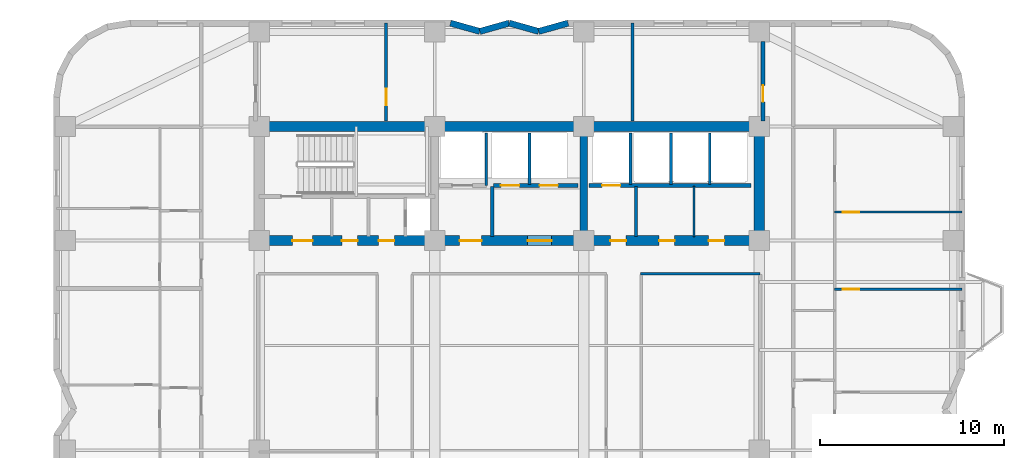
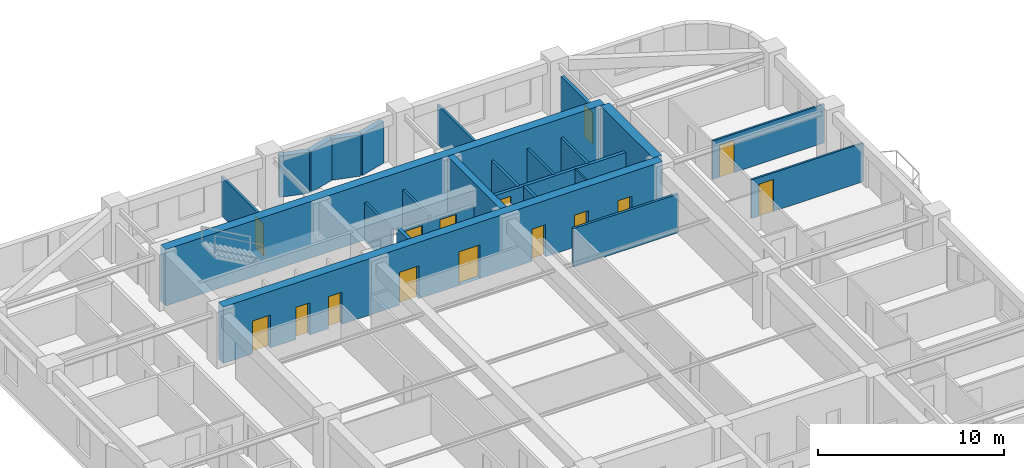
# One storey, part 7 of 10: 24 walls, 15 doors, 15 openings.
"""IFC4 building model written with IfcOpenShell, lengths in metres."""

from ifc_helpers import new_model, si_unit, direction, frame, frame_2d, origin, place, context, subcontext, project, spatial, rectangle, extrude, material, layer, layer_set, type_object, element, fill, save


model = new_model("IFC4")

# Units and contexts
model_context = context("Model", 3, precision=1e-05, world=origin(), true_north=direction((0.0, 1.0)))
body_context = subcontext(model_context, "Body", "Model", "MODEL_VIEW")
ifc_project = project(units=[si_unit("LENGTHUNIT", "METRE"), si_unit("AREAUNIT", "SQUARE_METRE"), si_unit("VOLUMEUNIT", "CUBIC_METRE"), si_unit("PLANEANGLEUNIT", "RADIAN"), si_unit("MASSUNIT", "GRAM", prefix="KILO")], contexts=[model_context])

# Site, building, storey
site_placement = place(None, origin())
site = spatial("IfcSite", under=ifc_project, at=site_placement, CompositionType="ELEMENT")
building_placement = place(site_placement, origin())
building = spatial("IfcBuilding", under=site, at=building_placement, Name="Svetorya Sky Lyceum", CompositionType="ELEMENT")
storey_placement = place(building_placement, frame((0.0, 0.0, 95.699951171875)))
storey = spatial("IfcBuildingStorey", under=building, at=storey_placement, Name="L23", CompositionType="ELEMENT", Elevation=95.699951171875)

# Walls
ifc_material_1 = material(Name="Concrete C40/50", Category="concrete")
ifc_layer_1 = layer(ifc_material_1, 0.39990234375)
ifc_layer_set_1 = layer_set([ifc_layer_1], Name="Concrete C40/50")
wall_type_1 = type_object("IfcWallType", Name="WL-CORE-400", PredefinedType="SHEAR", material=ifc_layer_set_1)
wall_1_placement = place(storey_placement, frame((43.25, 39.875, 0.0), z_axis=(0.0, 0.0, 1.0), x_axis=(0.0, 1.0, 0.0)))
element("IfcWall", 1, at=wall_1_placement, inside=storey, type_object=wall_type_1, Name="L23 NC Internal Shear Web WEB2", PredefinedType="SHEAR", context=body_context, shape_type="SweptSolid", body=[
    extrude(rectangle(XDim=5.64990234375, YDim=0.39990234375, at=frame_2d((2.824951171875, 0.0))), origin(), (0.0, 0.0, 1.0), 3.699951171875),
])
ifc_material_2 = material(Name="Concrete C60/75", Category="concrete")
ifc_layer_2 = layer(ifc_material_2, 0.550048828125)
ifc_layer_set_2 = layer_set([ifc_layer_2], Name="Concrete C60/75")
wall_type_2 = type_object("IfcWallType", Name="WL-CORE-550", PredefinedType="SHEAR", material=ifc_layer_set_2)
wall_2_placement = place(storey_placement, frame((25.60009765625, 45.800048828125, 0.0), z_axis=(0.0, 0.0, 1.0), x_axis=(1.0, 0.0, 0.0)))
element("IfcWall", 2, at=wall_2_placement, inside=storey, type_object=wall_type_2, Name="L23 NC Outer Core Shear Wall", PredefinedType="SHEAR", context=body_context, shape_type="SweptSolid", body=[
    extrude(rectangle(XDim=27.199951171875, YDim=0.550048828125, at=frame_2d((13.60009765625, 0.0))), origin(), (0.0, 0.0, 1.0), 3.699951171875),
])
wall_3_placement = place(storey_placement, frame((52.800048828125, 39.875, 0.0), z_axis=(0.0, 0.0, 1.0), x_axis=(0.0, 1.0, 0.0)))
element("IfcWall", 3, at=wall_3_placement, inside=storey, type_object=wall_type_2, Name="L23 NC East Core Shear Wall", PredefinedType="SHEAR", context=body_context, shape_type="SweptSolid", body=[
    extrude(rectangle(XDim=5.64990234375, YDim=0.550048828125, at=frame_2d((2.824951171875, 0.0))), origin(), (0.0, 0.0, 1.0), 3.699951171875),
])

# Wall, openings, doors
wall_4_placement = place(storey_placement, frame((52.800048828125, 39.60009765625, 0.0), z_axis=(0.0, 0.0, 1.0), x_axis=(-1.0, 0.0, 0.0)))
wall_4 = element("IfcWall", 4, at=wall_4_placement, inside=storey, type_object=wall_type_2, Name="L23 NC Inner Core Shear Wall", PredefinedType="SHEAR", context=body_context, shape_type="SweptSolid", body=[
    extrude(rectangle(XDim=27.199951171875, YDim=0.550048828125, at=frame_2d((13.60009765625, 0.0))), origin(), (0.0, 0.0, 1.0), 3.699951171875),
])
opening_1_placement = place(wall_4_placement, frame((24.300048828125, 0.0, 0.0)))
opening_1 = element("IfcOpeningElement", 5, at=opening_1_placement, cuts=wall_4, Name="Opening D-ST1", PredefinedType="OPENING", context=body_context, shape_type="SweptSolid", body=[
    extrude(rectangle(XDim=1.10009765625, YDim=2.14990234375, at=frame_2d((0.550048828125, 1.074951171875))), frame((0.0, 0.284912109375, 0.0), z_axis=(0.0, -1.0, 0.0), x_axis=(1.0, 0.0, 0.0)), (0.0, 0.0, 1.0), 0.570068359375),
])
opening_2_placement = place(wall_4_placement, frame((21.85009765625, 0.0, 0.0)))
opening_2 = element("IfcOpeningElement", 6, at=opening_2_placement, cuts=wall_4, Name="Opening D-CWC1", PredefinedType="OPENING", context=body_context, shape_type="SweptSolid", body=[
    extrude(rectangle(XDim=0.85009765625, YDim=2.10009765625, at=frame_2d((0.425048828125, 1.050048828125))), frame((0.0, 0.284912109375, 0.0), z_axis=(0.0, -1.0, 0.0), x_axis=(1.0, 0.0, 0.0)), (0.0, 0.0, 1.0), 0.570068359375),
])
opening_3_placement = place(wall_4_placement, frame((19.85009765625, 0.0, 0.0)))
opening_3 = element("IfcOpeningElement", 7, at=opening_3_placement, cuts=wall_4, Name="Opening D-CWC1", PredefinedType="OPENING", context=body_context, shape_type="SweptSolid", body=[
    extrude(rectangle(XDim=0.85009765625, YDim=2.10009765625, at=frame_2d((0.425048828125, 1.050048828125))), frame((0.0, 0.284912109375, 0.0), z_axis=(0.0, -1.0, 0.0), x_axis=(1.0, 0.0, 0.0)), (0.0, 0.0, 1.0), 0.570068359375),
])
opening_4_placement = place(wall_4_placement, frame((15.10009765625, 0.0, 0.0)))
opening_4 = element("IfcOpeningElement", 8, at=opening_4_placement, cuts=wall_4, Name="Opening D-FL1", PredefinedType="OPENING", context=body_context, shape_type="SweptSolid", body=[
    extrude(rectangle(XDim=1.199951171875, YDim=2.14990234375, at=frame_2d((0.60009765625, 1.074951171875))), frame((0.0, 0.284912109375, 0.0), z_axis=(0.0, -1.0, 0.0), x_axis=(1.0, 0.0, 0.0)), (0.0, 0.0, 1.0), 0.570068359375),
])
opening_5_placement = place(wall_4_placement, frame((11.300048828125, 0.0, 0.0)))
opening_5 = element("IfcOpeningElement", 9, at=opening_5_placement, cuts=wall_4, Name="Opening D-LB1", PredefinedType="OPENING", context=body_context, shape_type="SweptSolid", body=[
    extrude(rectangle(XDim=1.300048828125, YDim=2.199951171875, at=frame_2d((0.64990234375, 1.10009765625))), frame((0.0, 0.284912109375, 0.0), z_axis=(0.0, -1.0, 0.0), x_axis=(1.0, 0.0, 0.0)), (0.0, 0.0, 1.0), 0.570068359375),
])
opening_6_placement = place(wall_4_placement, frame((7.25, 0.0, 0.0)))
opening_6 = element("IfcOpeningElement", 10, at=opening_6_placement, cuts=wall_4, Name="Opening D-CWC1", PredefinedType="OPENING", context=body_context, shape_type="SweptSolid", body=[
    extrude(rectangle(XDim=0.85009765625, YDim=2.10009765625, at=frame_2d((0.425048828125, 1.050048828125))), frame((0.0, 0.284912109375, 0.0), z_axis=(0.0, -1.0, 0.0), x_axis=(1.0, 0.0, 0.0)), (0.0, 0.0, 1.0), 0.570068359375),
])
opening_7_placement = place(wall_4_placement, frame((4.60009765625, 0.0, 0.0)))
opening_7 = element("IfcOpeningElement", 11, at=opening_7_placement, cuts=wall_4, Name="Opening D-CWC1", PredefinedType="OPENING", context=body_context, shape_type="SweptSolid", body=[
    extrude(rectangle(XDim=0.85009765625, YDim=2.10009765625, at=frame_2d((0.425048828125, 1.050048828125))), frame((0.0, 0.284912109375, 0.0), z_axis=(0.0, -1.0, 0.0), x_axis=(1.0, 0.0, 0.0)), (0.0, 0.0, 1.0), 0.570068359375),
])
opening_8_placement = place(wall_4_placement, frame((1.89990234375, 0.0, 0.0)))
opening_8 = element("IfcOpeningElement", 12, at=opening_8_placement, cuts=wall_4, Name="Opening D-CWC1", PredefinedType="OPENING", context=body_context, shape_type="SweptSolid", body=[
    extrude(rectangle(XDim=0.85009765625, YDim=2.10009765625, at=frame_2d((0.425048828125, 1.050048828125))), frame((0.0, 0.284912109375, 0.0), z_axis=(0.0, -1.0, 0.0), x_axis=(1.0, 0.0, 0.0)), (0.0, 0.0, 1.0), 0.570068359375),
])
ifc_material_3 = material(Name="Fire-rated galvanized steel core service closet door", Category="steel")
door_type_1 = type_object("IfcDoorType", Name="DR-CWET-850", OperationType="SINGLE_SWING_LEFT", PredefinedType="DOOR", material=ifc_material_3)
door_1_placement = place(opening_2_placement, origin())
door_1 = element("IfcDoor", 13, at=door_1_placement, inside=storey, type_object=door_type_1, Name="L23 North Cleaner Door", OperationType="SINGLE_SWING_RIGHT", OverallHeight=2.10009765625, OverallWidth=0.85009765625, PredefinedType="DOOR", context=body_context, shape_type="SweptSolid", body=[
    extrude(rectangle(XDim=0.85009765625, YDim=2.10009765625, at=frame_2d((0.425048828125, 1.050048828125))), frame((0.0, 0.02490234375, 0.0), z_axis=(0.0, -1.0, 0.0), x_axis=(1.0, 0.0, 0.0)), (0.0, 0.0, 1.0), 0.050048828125),
])
fill(opening_2, door_1)
door_2_placement = place(opening_3_placement, origin())
door_2 = element("IfcDoor", 14, at=door_2_placement, inside=storey, type_object=door_type_1, Name="L23 North Meter Door", OperationType="SINGLE_SWING_LEFT", OverallHeight=2.10009765625, OverallWidth=0.85009765625, PredefinedType="DOOR", context=body_context, shape_type="SweptSolid", body=[
    extrude(rectangle(XDim=0.85009765625, YDim=2.10009765625, at=frame_2d((0.425048828125, 1.050048828125))), frame((0.0, 0.02490234375, 0.0), z_axis=(0.0, -1.0, 0.0), x_axis=(1.0, 0.0, 0.0)), (0.0, 0.0, 1.0), 0.050048828125),
])
fill(opening_3, door_2)
door_3_placement = place(opening_6_placement, origin())
door_3 = element("IfcDoor", 15, at=door_3_placement, inside=storey, type_object=door_type_1, Name="L23 Mid-Rise Lift PM3 Lobby Door", OperationType="SINGLE_SWING_LEFT", OverallHeight=2.10009765625, OverallWidth=0.85009765625, PredefinedType="DOOR", context=body_context, shape_type="SweptSolid", body=[
    extrude(rectangle(XDim=0.85009765625, YDim=2.10009765625, at=frame_2d((0.425048828125, 1.050048828125))), frame((0.0, 0.02490234375, 0.0), z_axis=(0.0, -1.0, 0.0), x_axis=(1.0, 0.0, 0.0)), (0.0, 0.0, 1.0), 0.050048828125),
])
fill(opening_6, door_3)
door_4_placement = place(opening_7_placement, origin())
door_4 = element("IfcDoor", 16, at=door_4_placement, inside=storey, type_object=door_type_1, Name="L23 Mid-Rise WC Door", OperationType="SINGLE_SWING_LEFT", OverallHeight=2.10009765625, OverallWidth=0.85009765625, PredefinedType="DOOR", context=body_context, shape_type="SweptSolid", body=[
    extrude(rectangle(XDim=0.85009765625, YDim=2.10009765625, at=frame_2d((0.425048828125, 1.050048828125))), frame((0.0, 0.02490234375, 0.0), z_axis=(0.0, -1.0, 0.0), x_axis=(1.0, 0.0, 0.0)), (0.0, 0.0, 1.0), 0.050048828125),
])
fill(opening_7, door_4)
door_5_placement = place(opening_8_placement, origin())
door_5 = element("IfcDoor", 17, at=door_5_placement, inside=storey, type_object=door_type_1, Name="L23 Mid-Rise Switch Closet Door", OperationType="SINGLE_SWING_RIGHT", OverallHeight=2.10009765625, OverallWidth=0.85009765625, PredefinedType="DOOR", context=body_context, shape_type="SweptSolid", body=[
    extrude(rectangle(XDim=0.85009765625, YDim=2.10009765625, at=frame_2d((0.425048828125, 1.050048828125))), frame((0.0, 0.02490234375, 0.0), z_axis=(0.0, -1.0, 0.0), x_axis=(1.0, 0.0, 0.0)), (0.0, 0.0, 1.0), 0.050048828125),
])
fill(opening_8, door_5)
ifc_material_4 = material(Name="Powder-coated insulated galvanized stair fire door")
door_type_2 = type_object("IfcDoorType", Name="DR-FIRE-1100", OperationType="SINGLE_SWING_LEFT", PredefinedType="DOOR", material=ifc_material_4)
door_6_placement = place(opening_1_placement, origin())
door_6 = element("IfcDoor", 18, at=door_6_placement, inside=storey, type_object=door_type_2, Name="L23 North Stair Airlock Door", OperationType="SINGLE_SWING_LEFT", OverallHeight=2.14990234375, OverallWidth=1.10009765625, PredefinedType="DOOR", context=body_context, shape_type="SweptSolid", body=[
    extrude(rectangle(XDim=1.10009765625, YDim=2.14990234375, at=frame_2d((0.550048828125, 1.074951171875))), frame((0.0, 0.02490234375, 0.0), z_axis=(0.0, -1.0, 0.0), x_axis=(1.0, 0.0, 0.0)), (0.0, 0.0, 1.0), 0.050048828125),
])
fill(opening_1, door_6)
ifc_material_5 = material(Name="Powder-coated insulated galvanized fire door")
door_type_3 = type_object("IfcDoorType", Name="DR-FIRE-1200", OperationType="SINGLE_SWING_LEFT", PredefinedType="DOOR", material=ifc_material_5)
door_7_placement = place(opening_4_placement, origin())
door_7 = element("IfcDoor", 19, at=door_7_placement, inside=storey, type_object=door_type_3, Name="L23 North Firefighting Lift Lobby Door", OperationType="SINGLE_SWING_RIGHT", OverallHeight=2.14990234375, OverallWidth=1.199951171875, PredefinedType="DOOR", context=body_context, shape_type="SweptSolid", body=[
    extrude(rectangle(XDim=1.199951171875, YDim=2.14990234375, at=frame_2d((0.60009765625, 1.074951171875))), frame((0.0, 0.02490234375, 0.0), z_axis=(0.0, -1.0, 0.0), x_axis=(1.0, 0.0, 0.0)), (0.0, 0.0, 1.0), 0.050048828125),
])
fill(opening_4, door_7)
ifc_material_6 = material(Name="Glazed fire-rated aluminium lobby door", Category="aluminium")
door_type_4 = type_object("IfcDoorType", Name="DR-LOB-1300", OperationType="SINGLE_SWING_LEFT", PredefinedType="DOOR", material=ifc_material_6)
door_8_placement = place(opening_5_placement, origin())
door_8 = element("IfcDoor", 20, at=door_8_placement, inside=storey, type_object=door_type_4, Name="L23 Mid-Rise Lift Lobby West Door", OperationType="SINGLE_SWING_LEFT", OverallHeight=2.199951171875, OverallWidth=1.300048828125, PredefinedType="DOOR", context=body_context, shape_type="SweptSolid", body=[
    extrude(rectangle(XDim=1.300048828125, YDim=2.199951171875, at=frame_2d((0.64990234375, 1.10009765625))), frame((0.0, 0.02490234375, 0.0), z_axis=(0.0, -1.0, 0.0), x_axis=(1.0, 0.0, 0.0)), (0.0, 0.0, 1.0), 0.050048828125),
])
fill(opening_5, door_8)

# Walls
ifc_material_7 = material(Name="Putilovo limestone rainscreen on autoclaved cellular masonry", Category="masonry")
ifc_layer_3 = layer(ifc_material_7, 0.340087890625)
ifc_layer_set_3 = layer_set([ifc_layer_3], Name="Putilovo limestone rainscreen on autoclaved cellular masonry")
wall_type_3 = type_object("IfcWallType", Name="WL-EXT-340", PredefinedType="SOLIDWALL", material=ifc_layer_set_3)
wall_5_placement = place(storey_placement, frame((42.39990234375, 51.429931640625, 0.0), z_axis=(0.0, 0.0, 1.0), x_axis=(-0.962652136636, -0.270741322725, 0.0)))
element("IfcWall", 21, at=wall_5_placement, inside=storey, type_object=wall_type_3, Name="L23 Limestone Exterior Wall 30M", PredefinedType="SOLIDWALL", context=body_context, shape_type="SweptSolid", body=[
    extrude(rectangle(XDim=1.661865234375, YDim=0.340087890625, at=frame_2d((0.8310546875, 0.0))), origin(), (0.0, 0.0, 1.0), 2.699951171875),
])
wall_6_placement = place(storey_placement, frame((40.800048828125, 50.97998046875, 0.0), z_axis=(0.0, 0.0, 1.0), x_axis=(-0.962662902433, 0.270703040766, 0.0)))
element("IfcWall", 22, at=wall_6_placement, inside=storey, type_object=wall_type_3, Name="L23 Limestone Exterior Wall 31M", PredefinedType="SOLIDWALL", context=body_context, shape_type="SweptSolid", body=[
    extrude(rectangle(XDim=1.662109375, YDim=0.340087890625, at=frame_2d((0.8310546875, 0.0))), origin(), (0.0, 0.0, 1.0), 2.699951171875),
])
wall_7_placement = place(storey_placement, frame((39.199951171875, 51.429931640625, 0.0), z_axis=(0.0, 0.0, 1.0), x_axis=(-0.962652136636, -0.270741322725, 0.0)))
element("IfcWall", 23, at=wall_7_placement, inside=storey, type_object=wall_type_3, Name="L23 Limestone Exterior Wall 32M", PredefinedType="SOLIDWALL", context=body_context, shape_type="SweptSolid", body=[
    extrude(rectangle(XDim=1.661865234375, YDim=0.340087890625, at=frame_2d((0.8310546875, 0.0))), origin(), (0.0, 0.0, 1.0), 2.699951171875),
])
wall_8_placement = place(storey_placement, frame((37.60009765625, 50.97998046875, 0.0), z_axis=(0.0, 0.0, 1.0), x_axis=(-0.962662902433, 0.270703040766, 0.0)))
element("IfcWall", 24, at=wall_8_placement, inside=storey, type_object=wall_type_3, Name="L23 Limestone Exterior Wall 33M", PredefinedType="SOLIDWALL", context=body_context, shape_type="SweptSolid", body=[
    extrude(rectangle(XDim=1.662109375, YDim=0.340087890625, at=frame_2d((0.8310546875, 0.0))), origin(), (0.0, 0.0, 1.0), 2.699951171875),
])
ifc_material_8 = material(Name="Galvanized stud partition with moisture-resistant board", Category="gypsum")
ifc_layer_4 = layer(ifc_material_8, 0.10009765625)
ifc_layer_set_4 = layer_set([ifc_layer_4], Name="Galvanized stud partition with moisture-resistant board")
wall_type_4 = type_object("IfcWallType", Name="WL-PART-100", PredefinedType="PARTITIONING", material=ifc_layer_set_4)
wall_9_placement = place(storey_placement, frame((49.25, 39.820068359375, 0.0), z_axis=(0.0, 0.0, 1.0), x_axis=(0.0, 1.0, 0.0)))
element("IfcWall", 25, at=wall_9_placement, inside=storey, type_object=wall_type_4, Name="L23 Interior Partition NC-Z2ED", PredefinedType="PARTITIONING", context=body_context, shape_type="SweptSolid", body=[
    extrude(rectangle(XDim=2.72998046875, YDim=0.10009765625, at=frame_2d((1.364990234375, 0.0))), origin(), (0.0, 0.0, 1.0), 2.530029296875),
])

# Wall, opening, door
ifc_material_9 = material(Name="Twin-stud galvanized framing with double fireboard", Category="gypsum")
ifc_layer_5 = layer(ifc_material_9, 0.1201171875)
ifc_layer_set_5 = layer_set([ifc_layer_5], Name="Twin-stud galvanized framing with double fireboard")
wall_type_5 = type_object("IfcWallType", Name="WL-PART-120", PredefinedType="PARTITIONING", material=ifc_layer_set_5)
wall_10_placement = place(storey_placement, frame((56.89990234375, 36.949951171875, 0.0), z_axis=(0.0, 0.0, 1.0), x_axis=(1.0, 0.0, 0.0)))
wall_10 = element("IfcWall", 26, at=wall_10_placement, inside=storey, type_object=wall_type_5, Name="L23 Interior Partition E2-WL2", PredefinedType="PARTITIONING", context=body_context, shape_type="SweptSolid", body=[
    extrude(rectangle(XDim=6.93017578125, YDim=0.1201171875, at=frame_2d((3.465087890625, 0.0))), origin(), (0.0, 0.0, 1.0), 2.530029296875),
])
opening_9_placement = place(wall_10_placement, frame((0.449951171875, 0.0, 0.0)))
opening_9 = element("IfcOpeningElement", 27, at=opening_9_placement, cuts=wall_10, Name="Opening D-RM1", PredefinedType="OPENING", context=body_context, shape_type="SweptSolid", body=[
    extrude(rectangle(XDim=0.89990234375, YDim=2.10009765625, at=frame_2d((0.449951171875, 1.050048828125))), frame((0.0, 0.070068359375, 0.0), z_axis=(0.0, -1.0, 0.0), x_axis=(1.0, 0.0, 0.0)), (0.0, 0.0, 1.0), 0.14013671875),
])
ifc_material_10 = material(Name="Lacquered birch veneer internal door")
door_type_5 = type_object("IfcDoorType", Name="DR-INT-900", OperationType="SINGLE_SWING_LEFT", PredefinedType="DOOR", material=ifc_material_10)
door_9_placement = place(opening_9_placement, origin())
door_9 = element("IfcDoor", 28, at=door_9_placement, inside=storey, type_object=door_type_5, Name="Apartment E2 Bedroom 2 Door", OperationType="SINGLE_SWING_RIGHT", OverallHeight=2.10009765625, OverallWidth=0.89990234375, PredefinedType="DOOR", context=body_context, shape_type="SweptSolid", body=[
    extrude(rectangle(XDim=0.89990234375, YDim=2.10009765625, at=frame_2d((0.449951171875, 1.050048828125))), frame((0.0, 0.02490234375, 0.0), z_axis=(0.0, -1.0, 0.0), x_axis=(1.0, 0.0, 0.0)), (0.0, 0.0, 1.0), 0.050048828125),
])
fill(opening_9, door_9)

wall_11_placement = place(storey_placement, frame((56.89990234375, 41.14990234375, 0.0), z_axis=(0.0, 0.0, 1.0), x_axis=(1.0, 0.0, 0.0)))
wall_11 = element("IfcWall", 29, at=wall_11_placement, inside=storey, type_object=wall_type_5, Name="L23 Interior Partition E2-WL3", PredefinedType="PARTITIONING", context=body_context, shape_type="SweptSolid", body=[
    extrude(rectangle(XDim=6.93017578125, YDim=0.1201171875, at=frame_2d((3.465087890625, 0.0))), origin(), (0.0, 0.0, 1.0), 2.530029296875),
])
opening_10_placement = place(wall_11_placement, frame((0.449951171875, 0.0, 0.0)))
opening_10 = element("IfcOpeningElement", 30, at=opening_10_placement, cuts=wall_11, Name="Opening D-RM1", PredefinedType="OPENING", context=body_context, shape_type="SweptSolid", body=[
    extrude(rectangle(XDim=0.89990234375, YDim=2.10009765625, at=frame_2d((0.449951171875, 1.050048828125))), frame((0.0, 0.070068359375, 0.0), z_axis=(0.0, -1.0, 0.0), x_axis=(1.0, 0.0, 0.0)), (0.0, 0.0, 1.0), 0.14013671875),
])
door_10_placement = place(opening_10_placement, origin())
door_10 = element("IfcDoor", 31, at=door_10_placement, inside=storey, type_object=door_type_5, Name="Apartment E2 Bedroom 3 Door", OperationType="SINGLE_SWING_LEFT", OverallHeight=2.10009765625, OverallWidth=0.89990234375, PredefinedType="DOOR", context=body_context, shape_type="SweptSolid", body=[
    extrude(rectangle(XDim=0.89990234375, YDim=2.10009765625, at=frame_2d((0.449951171875, 1.050048828125))), frame((0.0, 0.02490234375, 0.0), z_axis=(0.0, -1.0, 0.0), x_axis=(1.0, 0.0, 0.0)), (0.0, 0.0, 1.0), 0.050048828125),
])
fill(opening_10, door_10)

# Walls
ifc_material_11 = material(Name="Autoclaved cellular masonry blockwork with acoustic render", Category="masonry")
ifc_layer_6 = layer(ifc_material_11, 0.14990234375)
ifc_layer_set_6 = layer_set([ifc_layer_6], Name="Autoclaved cellular masonry blockwork with acoustic render")
wall_type_6 = type_object("IfcWallType", Name="WL-PART-150", PredefinedType="PARTITIONING", material=ifc_layer_set_6)
wall_12_placement = place(storey_placement, frame((37.949951171875, 42.60009765625, 0.0), z_axis=(0.0, 0.0, 1.0), x_axis=(0.0, 1.0, 0.0)))
element("IfcWall", 32, at=wall_12_placement, inside=storey, type_object=wall_type_6, Name="L23 Interior Partition NC-FL1SIDE", PredefinedType="PARTITIONING", context=body_context, shape_type="SweptSolid", body=[
    extrude(rectangle(XDim=2.849853515625, YDim=0.14990234375, at=frame_2d((1.4248046875, 0.0))), origin(), (0.0, 0.0, 1.0), 2.530029296875),
])
for number, where, z_axis, x_axis, name in (
    (33, (40.300048828125, 42.64990234375, 0.0), (0.0, 0.0, 1.0), (0.0, 1.0, 0.0), "L23 Interior Partition NC-PM-D1"),
    (34, (45.800048828125, 42.64990234375, 0.0), (0.0, 0.0, 1.0), (0.0, 1.0, 0.0), "L23 Interior Partition NC-PM3-D"),
    (35, (48.0, 42.64990234375, 0.0), (0.0, 0.0, 1.0), (0.0, 1.0, 0.0), "L23 Interior Partition NC-PH-D1"),
    (36, (50.10009765625, 42.64990234375, 0.0), (0.0, 0.0, 1.0), (0.0, 1.0, 0.0), "L23 Interior Partition NC-PH-D2"),
):
    element("IfcWall", number, at=place(storey_placement, frame(where, z_axis=z_axis, x_axis=x_axis)), inside=storey, type_object=wall_type_6, Name=name, PredefinedType="PARTITIONING", context=body_context, shape_type="SweptSolid", body=[
        extrude(rectangle(XDim=2.800048828125, YDim=0.14990234375, at=frame_2d((1.39990234375, 0.0))), origin(), (0.0, 0.0, 1.0), 2.530029296875),
    ])
wall_13_placement = place(storey_placement, frame((46.10009765625, 39.820068359375, 0.0), z_axis=(0.0, 0.0, 1.0), x_axis=(0.0, 1.0, 0.0)))
element("IfcWall", 37, at=wall_13_placement, inside=storey, type_object=wall_type_6, Name="L23 Interior Partition NC-PM3SEP", PredefinedType="PARTITIONING", context=body_context, shape_type="SweptSolid", body=[
    extrude(rectangle(XDim=2.72998046875, YDim=0.14990234375, at=frame_2d((1.364990234375, 0.0))), origin(), (0.0, 0.0, 1.0), 2.530029296875),
])
wall_14_placement = place(storey_placement, frame((46.35009765625, 37.800048828125, 0.0), z_axis=(0.0, 0.0, 1.0), x_axis=(1.0, 0.0, 0.0)))
element("IfcWall", 38, at=wall_14_placement, inside=storey, type_object=wall_type_6, Name="L23 Interior Partition RL-CN-E", PredefinedType="PARTITIONING", context=body_context, shape_type="SweptSolid", body=[
    extrude(rectangle(XDim=6.5, YDim=0.14990234375, at=frame_2d((3.25, 0.0))), origin(), (0.0, 0.0, 1.0), 2.530029296875),
])

# Wall, opening, door
wall_15_placement = place(storey_placement, frame((32.5, 46.10009765625, 0.0), z_axis=(0.0, 0.0, 1.0), x_axis=(0.0, 1.0, 0.0)))
wall_15 = element("IfcWall", 39, at=wall_15_placement, inside=storey, type_object=wall_type_6, Name="L23 Interior Partition N-D1", PredefinedType="PARTITIONING", context=body_context, shape_type="SweptSolid", body=[
    extrude(rectangle(XDim=5.329833984375, YDim=0.14990234375, at=frame_2d((2.6650390625, 0.0))), origin(), (0.0, 0.0, 1.0), 2.530029296875),
])
opening_11_placement = place(wall_15_placement, frame((0.85009765625, 0.0, 0.0)))
opening_11 = element("IfcOpeningElement", 40, at=opening_11_placement, cuts=wall_15, Name="Opening D-RM1", PredefinedType="OPENING", context=body_context, shape_type="SweptSolid", body=[
    extrude(rectangle(XDim=0.89990234375, YDim=2.10009765625, at=frame_2d((0.449951171875, 1.050048828125))), frame((0.0, 0.0849609375, 0.0), z_axis=(0.0, -1.0, 0.0), x_axis=(1.0, 0.0, 0.0)), (0.0, 0.0, 1.0), 0.169921875),
])
door_11_placement = place(opening_11_placement, origin())
door_11 = element("IfcDoor", 41, at=door_11_placement, inside=storey, type_object=door_type_5, Name="L23 North Store Door", OperationType="SINGLE_SWING_RIGHT", OverallHeight=2.10009765625, OverallWidth=0.89990234375, PredefinedType="DOOR", context=body_context, shape_type="SweptSolid", body=[
    extrude(rectangle(XDim=0.89990234375, YDim=2.10009765625, at=frame_2d((0.449951171875, 1.050048828125))), frame((0.0, 0.02490234375, 0.0), z_axis=(0.0, -1.0, 0.0), x_axis=(1.0, 0.0, 0.0)), (0.0, 0.0, 1.0), 0.050048828125),
])
fill(opening_11, door_11)

# Walls
wall_16_placement = place(storey_placement, frame((45.89990234375, 46.10009765625, 0.0), z_axis=(0.0, 0.0, 1.0), x_axis=(0.0, 1.0, 0.0)))
element("IfcWall", 42, at=wall_16_placement, inside=storey, type_object=wall_type_6, Name="L23 Interior Partition N-D2", PredefinedType="PARTITIONING", context=body_context, shape_type="SweptSolid", body=[
    extrude(rectangle(XDim=5.329833984375, YDim=0.14990234375, at=frame_2d((2.6650390625, 0.0))), origin(), (0.0, 0.0, 1.0), 2.530029296875),
])
ifc_material_12 = material(Name="Autoclaved cellular masonry blockwork with gypsum plaster", Category="masonry")
ifc_layer_7 = layer(ifc_material_12, 0.199951171875)
ifc_layer_set_7 = layer_set([ifc_layer_7], Name="Autoclaved cellular masonry blockwork with gypsum plaster")
wall_type_7 = type_object("IfcWallType", Name="WL-PART-200", PredefinedType="PARTITIONING", material=ifc_layer_set_7)
wall_17_placement = place(storey_placement, frame((38.280029296875, 39.820068359375, 0.0), z_axis=(0.0, 0.0, 1.0), x_axis=(0.0, 1.0, 0.0)))
element("IfcWall", 43, at=wall_17_placement, inside=storey, type_object=wall_type_7, Name="L23 Interior Partition NC-FFLDIV", PredefinedType="PARTITIONING", context=body_context, shape_type="SweptSolid", body=[
    extrude(rectangle(XDim=2.72998046875, YDim=0.199951171875, at=frame_2d((1.364990234375, 0.0))), origin(), (0.0, 0.0, 1.0), 2.530029296875),
])

# Wall, openings, doors
wall_18_placement = place(storey_placement, frame((42.949951171875, 42.60009765625, 0.0), z_axis=(0.0, 0.0, 1.0), x_axis=(-1.0, 0.0, 0.0)))
wall_18 = element("IfcWall", 44, at=wall_18_placement, inside=storey, type_object=wall_type_7, Name="L23 Interior Partition NC-PM12W", PredefinedType="PARTITIONING", context=body_context, shape_type="SweptSolid", body=[
    extrude(rectangle(XDim=4.599853515625, YDim=0.199951171875, at=frame_2d((2.2998046875, 0.0))), origin(), (0.0, 0.0, 1.0), 2.300048828125),
])
opening_12_placement = place(wall_18_placement, frame((3.199951171875, 0.0, 0.0)))
opening_12 = element("IfcOpeningElement", 45, at=opening_12_placement, cuts=wall_18, Name="Opening LD-P1", PredefinedType="OPENING", context=body_context, shape_type="SweptSolid", body=[
    extrude(rectangle(XDim=1.0, YDim=2.14990234375, at=frame_2d((0.5, 1.074951171875))), frame((0.0, 0.10986328125, 0.0), z_axis=(0.0, -1.0, 0.0), x_axis=(1.0, 0.0, 0.0)), (0.0, 0.0, 1.0), 0.219970703125),
])
opening_13_placement = place(wall_18_placement, frame((1.10009765625, 0.0, 0.0)))
opening_13 = element("IfcOpeningElement", 46, at=opening_13_placement, cuts=wall_18, Name="Opening LD-P1", PredefinedType="OPENING", context=body_context, shape_type="SweptSolid", body=[
    extrude(rectangle(XDim=1.0, YDim=2.14990234375, at=frame_2d((0.5, 1.074951171875))), frame((0.0, 0.10986328125, 0.0), z_axis=(0.0, -1.0, 0.0), x_axis=(1.0, 0.0, 0.0)), (0.0, 0.0, 1.0), 0.219970703125),
])
ifc_material_13 = material(Name="Champagne-anodized stainless passenger lift landing door")
door_type_6 = type_object("IfcDoorType", Name="DR-LIFT-1000", OperationType="SLIDING_TO_LEFT", PredefinedType="DOOR", material=ifc_material_13)
door_12_placement = place(opening_12_placement, origin())
door_12 = element("IfcDoor", 47, at=door_12_placement, inside=storey, type_object=door_type_6, Name="L23 Passenger Lift PM1 Landing Door", OperationType="SLIDING_TO_LEFT", OverallHeight=2.14990234375, OverallWidth=1.0, PredefinedType="DOOR", context=body_context, shape_type="SweptSolid", body=[
    extrude(rectangle(XDim=1.0, YDim=2.14990234375, at=frame_2d((0.5, 1.074951171875))), frame((0.0, 0.02490234375, 0.0), z_axis=(0.0, -1.0, 0.0), x_axis=(1.0, 0.0, 0.0)), (0.0, 0.0, 1.0), 0.050048828125),
])
fill(opening_12, door_12)
door_13_placement = place(opening_13_placement, origin())
door_13 = element("IfcDoor", 48, at=door_13_placement, inside=storey, type_object=door_type_6, Name="L23 Passenger Lift PM2 Landing Door", OperationType="SLIDING_TO_LEFT", OverallHeight=2.14990234375, OverallWidth=1.0, PredefinedType="DOOR", context=body_context, shape_type="SweptSolid", body=[
    extrude(rectangle(XDim=1.0, YDim=2.14990234375, at=frame_2d((0.5, 1.074951171875))), frame((0.0, 0.02490234375, 0.0), z_axis=(0.0, -1.0, 0.0), x_axis=(1.0, 0.0, 0.0)), (0.0, 0.0, 1.0), 0.050048828125),
])
fill(opening_13, door_13)

# Wall, opening, door
wall_19_placement = place(storey_placement, frame((52.35009765625, 42.60009765625, 0.0), z_axis=(0.0, 0.0, 1.0), x_axis=(-1.0, 0.0, 0.0)))
wall_19 = element("IfcWall", 49, at=wall_19_placement, inside=storey, type_object=wall_type_7, Name="L23 Interior Partition NC-PHEW", PredefinedType="PARTITIONING", context=body_context, shape_type="SweptSolid", body=[
    extrude(rectangle(XDim=8.800048828125, YDim=0.199951171875, at=frame_2d((4.39990234375, 0.0))), origin(), (0.0, 0.0, 1.0), 2.530029296875),
])
opening_14_placement = place(wall_19_placement, frame((7.10009765625, 0.0, 0.0)))
opening_14 = element("IfcOpeningElement", 50, at=opening_14_placement, cuts=wall_19, Name="Opening LD-P1", PredefinedType="OPENING", context=body_context, shape_type="SweptSolid", body=[
    extrude(rectangle(XDim=1.0, YDim=2.14990234375, at=frame_2d((0.5, 1.074951171875))), frame((0.0, 0.10986328125, 0.0), z_axis=(0.0, -1.0, 0.0), x_axis=(1.0, 0.0, 0.0)), (0.0, 0.0, 1.0), 0.219970703125),
])
door_14_placement = place(opening_14_placement, origin())
door_14 = element("IfcDoor", 51, at=door_14_placement, inside=storey, type_object=door_type_6, Name="L23 Passenger Lift PM3 Landing Door", OperationType="SLIDING_TO_LEFT", OverallHeight=2.14990234375, OverallWidth=1.0, PredefinedType="DOOR", context=body_context, shape_type="SweptSolid", body=[
    extrude(rectangle(XDim=1.0, YDim=2.14990234375, at=frame_2d((0.5, 1.074951171875))), frame((0.0, 0.02490234375, 0.0), z_axis=(0.0, -1.0, 0.0), x_axis=(1.0, 0.0, 0.0)), (0.0, 0.0, 1.0), 0.050048828125),
])
fill(opening_14, door_14)

wall_20_placement = place(storey_placement, frame((53.0, 46.10009765625, 0.0), z_axis=(0.0, 0.0, 1.0), x_axis=(0.0, 1.0, 0.0)))
wall_20 = element("IfcWall", 52, at=wall_20_placement, inside=storey, type_object=wall_type_7, Name="L23 Interior Partition N-EE", PredefinedType="PARTITIONING", context=body_context, shape_type="SweptSolid", body=[
    extrude(rectangle(XDim=4.329833984375, YDim=0.199951171875, at=frame_2d((2.1650390625, 0.0))), origin(), (0.0, 0.0, 1.0), 2.530029296875),
])
opening_15_placement = place(wall_20_placement, frame((1.050048828125, 0.0, 0.0)))
opening_15 = element("IfcOpeningElement", 53, at=opening_15_placement, cuts=wall_20, Name="Opening D-RM1", PredefinedType="OPENING", context=body_context, shape_type="SweptSolid", body=[
    extrude(rectangle(XDim=0.89990234375, YDim=2.10009765625, at=frame_2d((0.449951171875, 1.050048828125))), frame((0.0, 0.10986328125, 0.0), z_axis=(0.0, -1.0, 0.0), x_axis=(1.0, 0.0, 0.0)), (0.0, 0.0, 1.0), 0.219970703125),
])
door_15_placement = place(opening_15_placement, origin())
door_15 = element("IfcDoor", 54, at=door_15_placement, inside=storey, type_object=door_type_5, Name="L23 North Meeting Door", OperationType="SINGLE_SWING_LEFT", OverallHeight=2.10009765625, OverallWidth=0.89990234375, PredefinedType="DOOR", context=body_context, shape_type="SweptSolid", body=[
    extrude(rectangle(XDim=0.89990234375, YDim=2.10009765625, at=frame_2d((0.449951171875, 1.050048828125))), frame((0.0, 0.02490234375, 0.0), z_axis=(0.0, -1.0, 0.0), x_axis=(1.0, 0.0, 0.0)), (0.0, 0.0, 1.0), 0.050048828125),
])
fill(opening_15, door_15)

save(model, "model.ifc")
